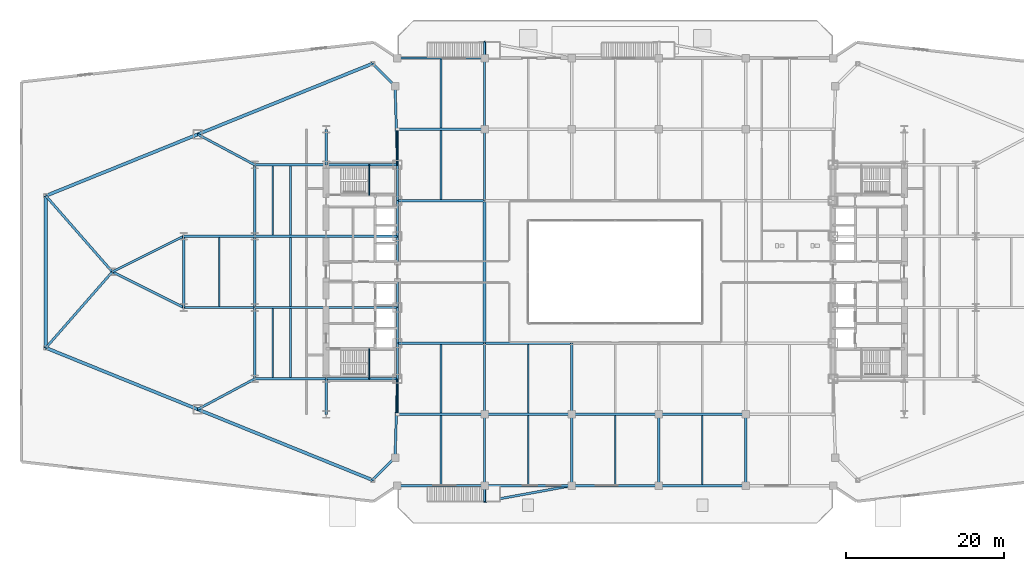
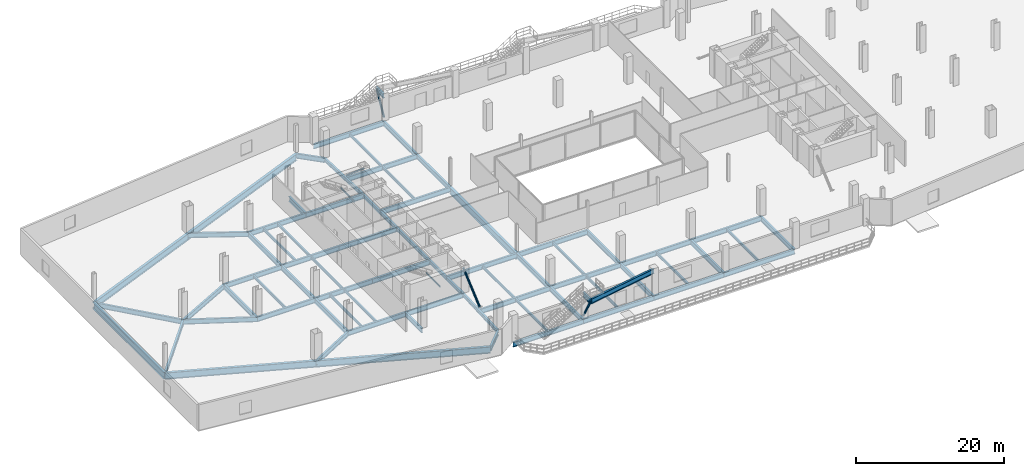
# One storey, part 9 of 25: 77 beams, 4 members.
"""IFC4 building model written with IfcOpenShell, lengths in metres."""

from ifc_helpers import new_model, si_unit, direction, frame, origin, origin_2d, place, context, subcontext, project, spatial, hollow_circle, i_section, extrude, source, transform, mapped, material, material_profile, profile_set, type_object, type_shapes, element, save


model = new_model("IFC4")

# Units and contexts
model_context = context("Model", 3, precision=1e-05, world=origin(), true_north=direction((0.0, 1.0)))
body_context = subcontext(model_context, "Body", "Model", "MODEL_VIEW")
ifc_project = project(units=[si_unit("LENGTHUNIT", "METRE"), si_unit("AREAUNIT", "SQUARE_METRE"), si_unit("VOLUMEUNIT", "CUBIC_METRE"), si_unit("PLANEANGLEUNIT", "RADIAN"), si_unit("MASSUNIT", "GRAM", prefix="KILO")], contexts=[model_context])

# Site, building, storey
site_placement = place(None, origin())
site = spatial("IfcSite", under=ifc_project, at=site_placement, CompositionType="ELEMENT")
building_placement = place(site_placement, origin())
building = spatial("IfcBuilding", under=site, at=building_placement, Name="Seokmaru Belvedere", CompositionType="ELEMENT")
storey_placement = place(building_placement, frame((0.0, 0.0, 5.39990234375)))
storey = spatial("IfcBuildingStorey", under=building, at=storey_placement, Name="L01", CompositionType="ELEMENT", Elevation=5.39990234375)

# Beams
ifc_material = material(Name="Steel SM355 (355 MPa)", Category="steel")
ifc_material_profile_1 = material_profile(ifc_material, i_section(OverallWidth=0.300048828125, OverallDepth=0.587890625, WebThickness=0.011962890625, FlangeThickness=0.02001953125, at=origin_2d()), Name="H-588x300x12x20")
ifc_profile_set_1 = profile_set([ifc_material_profile_1], Name="Steel SM355 (355 MPa)")
beam_type_1 = type_object("IfcBeamType", Name="Podium Edge Spandrel Beam H-588", PredefinedType="SPANDREL", material=ifc_profile_set_1)
shared_shape_1 = source(origin(), body_context, "Body", "SweptSolid", [
    extrude(i_section(OverallWidth=0.300048828125, OverallDepth=0.587890625, WebThickness=0.011962890625, FlangeThickness=0.02001953125, at=origin_2d()), origin(), (0.0, 0.0, 1.0), 4.5),
])
for number, where, z_axis, x_axis, name in (
    (1, (-27.5, -13.5, -0.573974609375), (0.0, 1.0, 0.0), (-1.0, 0.0, 0.0), "L01 W Portal Spine Spandrel 1"),
    (2, (-27.5, -9.0, -0.573974609375), (0.0, 1.0, 0.0), (-1.0, 0.0, 0.0), "L01 W Portal Spine Spandrel 2"),
    (3, (-27.5, 4.5, -0.573974609375), (0.0, 1.0, 0.0), (-1.0, 0.0, 0.0), "L01 W Portal Spine Spandrel 4"),
    (4, (-27.5, 9.0, -0.573974609375), (0.0, 1.0, 0.0), (-1.0, 0.0, 0.0), "L01 W Portal Spine Spandrel 5"),
):
    element("IfcBeam", number, at=place(storey_placement, frame(where, z_axis=z_axis, x_axis=x_axis)), inside=storey, type_object=beam_type_1, Name=name, PredefinedType="SPANDREL", context=body_context, shape_type="MappedRepresentation", body=[
        mapped(shared_shape_1, transform((0.0, 0.0, 0.0), scale=1.0)),
    ])
shared_shape_2 = source(origin(), body_context, "Body", "SweptSolid", [
    extrude(i_section(OverallWidth=0.300048828125, OverallDepth=0.587890625, WebThickness=0.011962890625, FlangeThickness=0.02001953125, at=origin_2d()), origin(), (0.0, 0.0, 1.0), 9.0),
])
beam_1_placement = place(storey_placement, frame((-27.5, -4.5, -0.573974609375), z_axis=(0.0, 1.0, 0.0), x_axis=(-1.0, 0.0, 0.0)))
element("IfcBeam", 5, at=beam_1_placement, inside=storey, type_object=beam_type_1, Name="L01 W Portal Spine Spandrel 3", PredefinedType="SPANDREL", context=body_context, shape_type="MappedRepresentation", body=[
    mapped(shared_shape_2, transform((0.0, 0.0, 0.0), scale=1.0)),
])
ifc_material_profile_2 = material_profile(ifc_material, i_section(OverallWidth=0.39990234375, OverallDepth=1.10009765625, WebThickness=0.02001953125, FlangeThickness=0.033935546875, at=origin_2d()), Name="BH-1100x400x20x34")
ifc_profile_set_2 = profile_set([ifc_material_profile_2], Name="Steel SM355 (355 MPa)")
beam_type_2 = type_object("IfcBeamType", Name="Sky-Gate Transverse Girder BH-1100", PredefinedType="BEAM", material=ifc_profile_set_2)
shared_shape_3 = source(origin(), body_context, "Body", "SweptSolid", [
    extrude(i_section(OverallWidth=0.39990234375, OverallDepth=1.10009765625, WebThickness=0.02001953125, FlangeThickness=0.033935546875, at=origin_2d()), origin(), (0.0, 0.0, 1.0), 23.811767578125),
])
for number, where, z_axis, x_axis, name in (
    (6, (-30.643310546875, -26.294677734375, -0.829833984375), (-0.92694579442, 0.375195274766, 0.0), (-0.375195274766, -0.92694579442, 0.0), "L01 W Podium Long-Span Flank Girder S-1"),
    (7, (-30.643310546875, 26.294677734375, -0.829833984375), (-0.92694579442, -0.375195274766, 0.0), (0.375195274766, -0.92694579442, 0.0), "L01 W Podium Long-Span Flank Girder N-1"),
):
    element("IfcBeam", number, at=place(storey_placement, frame(where, z_axis=z_axis, x_axis=x_axis)), inside=storey, type_object=beam_type_2, Name=name, PredefinedType="BEAM", context=body_context, shape_type="MappedRepresentation", body=[
        mapped(shared_shape_3, transform((0.0, 0.0, 0.0), scale=1.0)),
    ])
shared_shape_4 = source(origin(), body_context, "Body", "SweptSolid", [
    extrude(i_section(OverallWidth=0.39990234375, OverallDepth=1.10009765625, WebThickness=0.02001953125, FlangeThickness=0.033935546875, at=origin_2d()), origin(), (0.0, 0.0, 1.0), 20.6962890625),
])
for number, where, z_axis, x_axis, name in (
    (8, (-52.715576171875, -17.360595703125, -0.829833984375), (-0.92695003666, 0.37518479385, 0.0), (-0.37518479385, -0.92695003666, 0.0), "L01 W Podium Long-Span Flank Girder S-2"),
    (9, (-52.715576171875, 17.360595703125, -0.829833984375), (-0.92695003666, -0.37518479385, 0.0), (0.37518479385, -0.92695003666, 0.0), "L01 W Podium Long-Span Flank Girder N-2"),
):
    element("IfcBeam", number, at=place(storey_placement, frame(where, z_axis=z_axis, x_axis=x_axis)), inside=storey, type_object=beam_type_2, Name=name, PredefinedType="BEAM", context=body_context, shape_type="MappedRepresentation", body=[
        mapped(shared_shape_4, transform((0.0, 0.0, 0.0), scale=1.0)),
    ])
shared_shape_5 = source(origin(), body_context, "Body", "SweptSolid", [
    extrude(i_section(OverallWidth=0.39990234375, OverallDepth=1.10009765625, WebThickness=0.02001953125, FlangeThickness=0.033935546875, at=origin_2d()), origin(), (0.0, 0.0, 1.0), 19.19140625),
])
beam_2_placement = place(storey_placement, frame((-71.89990234375, -9.595703125, -0.829833984375), z_axis=(0.0, 1.0, 0.0), x_axis=(-1.0, 0.0, 0.0)))
element("IfcBeam", 10, at=beam_2_placement, inside=storey, type_object=beam_type_2, Name="L01 W Podium Long-Span Apex Girder", PredefinedType="BEAM", context=body_context, shape_type="MappedRepresentation", body=[
    mapped(shared_shape_5, transform((0.0, 0.0, 0.0), scale=1.0)),
])
shared_shape_6 = source(origin(), body_context, "Body", "SweptSolid", [
    extrude(i_section(OverallWidth=0.300048828125, OverallDepth=0.587890625, WebThickness=0.011962890625, FlangeThickness=0.02001953125, at=origin_2d()), origin(), (0.0, 0.0, 1.0), 9.9560546875),
])
type_shapes(beam_type_1, [shared_shape_1, shared_shape_2, shared_shape_6])
for number, where, z_axis, x_axis, name in (
    (11, (-27.800048828125, -23.451416015625, -0.573974609375), (0.030137674137, 0.999545757131, 0.0), (-0.999545757131, 0.030137674137, 0.0), "L01 W Podium Spine Shoulder Tie S"),
    (12, (-27.800048828125, 23.451416015625, -0.573974609375), (0.030137674137, -0.999545757131, 0.0), (0.999545757131, 0.030137674137, 0.0), "L01 W Podium Spine Shoulder Tie N"),
):
    element("IfcBeam", number, at=place(storey_placement, frame(where, z_axis=z_axis, x_axis=x_axis)), inside=storey, type_object=beam_type_1, Name=name, PredefinedType="SPANDREL", context=body_context, shape_type="MappedRepresentation", body=[
        mapped(shared_shape_6, transform((0.0, 0.0, 0.0), scale=1.0)),
    ])
ifc_material_profile_3 = material_profile(ifc_material, i_section(OverallWidth=0.300048828125, OverallDepth=0.800048828125, WebThickness=0.013916015625, FlangeThickness=0.02587890625, at=origin_2d()), Name="H-800x300x14x26")
ifc_profile_set_3 = profile_set([ifc_material_profile_3], Name="Steel SM355 (355 MPa)")
beam_type_3 = type_object("IfcBeamType", Name="Podium Primary Girder H-800", PredefinedType="BEAM", material=ifc_profile_set_3)
shared_shape_7 = source(origin(), body_context, "Body", "SweptSolid", [
    extrude(i_section(OverallWidth=0.300048828125, OverallDepth=0.800048828125, WebThickness=0.013916015625, FlangeThickness=0.02587890625, at=origin_2d()), origin(), (0.0, 0.0, 1.0), 4.5),
])
for number, where, z_axis, x_axis, name in (
    (13, (-36.5, -18.0, -0.679931640625), (0.0, 1.0, 0.0), (-1.0, 0.0, 0.0), "L01 W Core Shoulder Girder S"),
    (14, (-36.5, 13.5, -0.679931640625), (0.0, 1.0, 0.0), (-1.0, 0.0, 0.0), "L01 W Core Shoulder Girder N"),
):
    element("IfcBeam", number, at=place(storey_placement, frame(where, z_axis=z_axis, x_axis=x_axis)), inside=storey, type_object=beam_type_3, Name=name, PredefinedType="BEAM", context=body_context, shape_type="MappedRepresentation", body=[
        mapped(shared_shape_7, transform((0.0, 0.0, 0.0), scale=1.0)),
    ])
shared_shape_8 = source(origin(), body_context, "Body", "SweptSolid", [
    extrude(i_section(OverallWidth=0.300048828125, OverallDepth=0.800048828125, WebThickness=0.013916015625, FlangeThickness=0.02587890625, at=origin_2d()), origin(), (0.0, 0.0, 1.0), 9.0),
])
for number, where, z_axis, x_axis, name in (
    (15, (-45.5, -13.5, -0.679931640625), (0.0, 1.0, 0.0), (-1.0, 0.0, 0.0), "L01 W Interior Grid Girder 1"),
    (16, (-45.5, -4.5, -0.679931640625), (0.0, 1.0, 0.0), (-1.0, 0.0, 0.0), "L01 W Interior Grid Girder 2"),
    (17, (-45.5, 4.5, -0.679931640625), (0.0, 1.0, 0.0), (-1.0, 0.0, 0.0), "L01 W Interior Grid Girder 3"),
    (18, (-36.5, -13.5, -0.679931640625), (1.0, 0.0, 0.0), (0.0, 1.0, 0.0), "L01 W Core Tie Girder 1"),
    (19, (-45.5, -13.5, -0.679931640625), (1.0, 0.0, 0.0), (0.0, 1.0, 0.0), "L01 W Wing Primary Girder 1"),
    (20, (-36.5, -4.5, -0.679931640625), (1.0, 0.0, 0.0), (0.0, 1.0, 0.0), "L01 W Core Tie Girder 2"),
    (21, (-45.5, -4.5, -0.679931640625), (1.0, 0.0, 0.0), (0.0, 1.0, 0.0), "L01 W Wing Primary Girder 2"),
    (22, (-36.5, 4.5, -0.679931640625), (1.0, 0.0, 0.0), (0.0, 1.0, 0.0), "L01 W Core Tie Girder 3"),
    (23, (-45.5, 4.5, -0.679931640625), (1.0, 0.0, 0.0), (0.0, 1.0, 0.0), "L01 W Wing Primary Girder 3"),
    (24, (-36.5, 13.5, -0.679931640625), (1.0, 0.0, 0.0), (0.0, 1.0, 0.0), "L01 W Core Tie Girder 4"),
    (25, (-45.5, 13.5, -0.679931640625), (1.0, 0.0, 0.0), (0.0, 1.0, 0.0), "L01 W Wing Primary Girder 4"),
    (26, (-54.5, -4.5, -0.679931640625), (1.0, 0.0, 0.0), (0.0, 1.0, 0.0), "L01 W Outer Wing Girder 1"),
    (27, (-54.5, 4.5, -0.679931640625), (1.0, 0.0, 0.0), (0.0, 1.0, 0.0), "L01 W Outer Wing Girder 2"),
    (28, (-54.5, -4.5, -0.679931640625), (0.0, 1.0, 0.0), (-1.0, 0.0, 0.0), "L01 W Apex Frame Girder"),
    (29, (-16.5, -27.0, -0.679931640625), (0.0, 1.0, 0.0), (-1.0, 0.0, 0.0), "L01 Central Podium Transverse Girder 1-1"),
    (30, (-16.5, -18.0, -0.679931640625), (0.0, 1.0, 0.0), (-1.0, 0.0, 0.0), "L01 Central Podium Transverse Girder 1-2"),
    (31, (-16.5, 9.0, -0.679931640625), (0.0, 1.0, 0.0), (-1.0, 0.0, 0.0), "L01 Central Podium Transverse Girder 1-4"),
    (32, (-16.5, 18.0, -0.679931640625), (0.0, 1.0, 0.0), (-1.0, 0.0, 0.0), "L01 Central Podium Transverse Girder 1-5"),
    (33, (-5.5, -27.0, -0.679931640625), (0.0, 1.0, 0.0), (-1.0, 0.0, 0.0), "L01 Central Podium Transverse Girder 2-1"),
    (34, (-5.5, -18.0, -0.679931640625), (0.0, 1.0, 0.0), (-1.0, 0.0, 0.0), "L01 Central Podium Transverse Girder 2-2"),
    (35, (5.5, -27.0, -0.679931640625), (0.0, 1.0, 0.0), (-1.0, 0.0, 0.0), "L01 Central Podium Transverse Girder 3-1"),
    (36, (16.5, -27.0, -0.679931640625), (0.0, 1.0, 0.0), (-1.0, 0.0, 0.0), "L01 Central Podium Transverse Girder 4-1"),
):
    element("IfcBeam", number, at=place(storey_placement, frame(where, z_axis=z_axis, x_axis=x_axis)), inside=storey, type_object=beam_type_3, Name=name, PredefinedType="BEAM", context=body_context, shape_type="MappedRepresentation", body=[
        mapped(shared_shape_8, transform((0.0, 0.0, 0.0), scale=1.0)),
    ])
shared_shape_9 = source(origin(), body_context, "Body", "SweptSolid", [
    extrude(i_section(OverallWidth=0.300048828125, OverallDepth=0.800048828125, WebThickness=0.013916015625, FlangeThickness=0.02587890625, at=origin_2d()), origin(), (0.0, 0.0, 1.0), 10.062255859375),
])
for number, where, z_axis, x_axis, name in (
    (37, (-54.5, -4.5, -0.679931640625), (-0.894427191, 0.4472135955, 0.0), (-0.4472135955, -0.894427191, 0.0), "L01 W Apex Converging Girder 1"),
    (38, (-54.5, 4.5, -0.679931640625), (-0.894427191, -0.4472135955, 0.0), (0.4472135955, -0.894427191, 0.0), "L01 W Apex Converging Girder 2"),
):
    element("IfcBeam", number, at=place(storey_placement, frame(where, z_axis=z_axis, x_axis=x_axis)), inside=storey, type_object=beam_type_3, Name=name, PredefinedType="BEAM", context=body_context, shape_type="MappedRepresentation", body=[
        mapped(shared_shape_9, transform((0.0, 0.0, 0.0), scale=1.0)),
    ])
ifc_material_profile_4 = material_profile(ifc_material, i_section(OverallWidth=0.199951171875, OverallDepth=0.449951171875, WebThickness=0.009033203125, FlangeThickness=0.013916015625, at=origin_2d()), Name="H-450x200x9x14")
ifc_profile_set_4 = profile_set([ifc_material_profile_4], Name="Steel SM355 (355 MPa)")
beam_type_4 = type_object("IfcBeamType", Name="Podium Secondary Joist H-450", PredefinedType="JOIST", material=ifc_profile_set_4)
shared_shape_10 = source(origin(), body_context, "Body", "SweptSolid", [
    extrude(i_section(OverallWidth=0.199951171875, OverallDepth=0.449951171875, WebThickness=0.009033203125, FlangeThickness=0.013916015625, at=origin_2d()), origin(), (0.0, 0.0, 1.0), 8.68994140625),
])
type_shapes(beam_type_4, [shared_shape_10])
for number, where, z_axis, x_axis, name in (
    (39, (-43.25, -13.344970703125, -0.5048828125), (0.0, 1.0, 0.0), (-1.0, 0.0, 0.0), "L01 W Wing Inner Secondary Joist 1"),
    (40, (-43.25, 4.655029296875, -0.5048828125), (0.0, 1.0, 0.0), (-1.0, 0.0, 0.0), "L01 W Wing Inner Secondary Joist 2"),
    (41, (-41.0, -13.344970703125, -0.5048828125), (0.0, 1.0, 0.0), (-1.0, 0.0, 0.0), "L01 W Secondary Floor Joist 1"),
    (42, (-41.0, -4.344970703125, -0.5048828125), (0.0, 1.0, 0.0), (-1.0, 0.0, 0.0), "L01 W Secondary Floor Joist 2"),
    (43, (-41.0, 4.655029296875, -0.5048828125), (0.0, 1.0, 0.0), (-1.0, 0.0, 0.0), "L01 W Secondary Floor Joist 3"),
    (44, (-50.0, -4.344970703125, -0.5048828125), (0.0, 1.0, 0.0), (-1.0, 0.0, 0.0), "L01 W Outer Bay Secondary Joist"),
    (45, (-22.0, -26.844970703125, -0.5048828125), (0.0, 1.0, 0.0), (-1.0, 0.0, 0.0), "L01 Central Podium Secondary Joist 1-1"),
    (46, (-22.0, -17.844970703125, -0.5048828125), (0.0, 1.0, 0.0), (-1.0, 0.0, 0.0), "L01 Central Podium Secondary Joist 1-2"),
    (47, (-22.0, 9.155029296875, -0.5048828125), (0.0, 1.0, 0.0), (-1.0, 0.0, 0.0), "L01 Central Podium Secondary Joist 1-3"),
    (48, (-22.0, 18.155029296875, -0.5048828125), (0.0, 1.0, 0.0), (-1.0, 0.0, 0.0), "L01 Central Podium Secondary Joist 1-4"),
    (49, (-11.0, -26.844970703125, -0.5048828125), (0.0, 1.0, 0.0), (-1.0, 0.0, 0.0), "L01 Central Podium Secondary Joist 2-1"),
    (50, (-11.0, -17.844970703125, -0.5048828125), (0.0, 1.0, 0.0), (-1.0, 0.0, 0.0), "L01 Central Podium Secondary Joist 2-2"),
    (51, (0.0, -26.844970703125, -0.5048828125), (0.0, 1.0, 0.0), (-1.0, 0.0, 0.0), "L01 Central Podium Secondary Joist 3-1"),
    (52, (11.0, -26.844970703125, -0.5048828125), (0.0, 1.0, 0.0), (-1.0, 0.0, 0.0), "L01 Central Podium Secondary Joist 4-1"),
):
    element("IfcBeam", number, at=place(storey_placement, frame(where, z_axis=z_axis, x_axis=x_axis)), inside=storey, type_object=beam_type_4, Name=name, PredefinedType="JOIST", context=body_context, shape_type="MappedRepresentation", body=[
        mapped(shared_shape_10, transform((0.0, 0.0, 0.0), scale=1.0)),
    ])
shared_shape_11 = source(origin(), body_context, "Body", "SweptSolid", [
    extrude(i_section(OverallWidth=0.300048828125, OverallDepth=0.800048828125, WebThickness=0.013916015625, FlangeThickness=0.02587890625, at=origin_2d()), origin(), (0.0, 0.0, 1.0), 4.02099609375),
])
for number, where, z_axis, x_axis, name in (
    (53, (-30.643310546875, -26.294677734375, -0.679931640625), (0.707106781187, 0.707106781187, 0.0), (-0.707106781187, 0.707106781187, 0.0), "L01 W Podium South Shoulder Girder"),
    (54, (-30.643310546875, 26.294677734375, -0.679931640625), (0.707106781187, -0.707106781187, 0.0), (0.707106781187, 0.707106781187, 0.0), "L01 W Podium North Shoulder Girder"),
):
    element("IfcBeam", number, at=place(storey_placement, frame(where, z_axis=z_axis, x_axis=x_axis)), inside=storey, type_object=beam_type_3, Name=name, PredefinedType="BEAM", context=body_context, shape_type="MappedRepresentation", body=[
        mapped(shared_shape_11, transform((0.0, 0.0, 0.0), scale=1.0)),
    ])
shared_shape_12 = source(origin(), body_context, "Body", "SweptSolid", [
    extrude(i_section(OverallWidth=0.300048828125, OverallDepth=0.800048828125, WebThickness=0.013916015625, FlangeThickness=0.02587890625, at=origin_2d()), origin(), (0.0, 0.0, 1.0), 8.183349609375),
])
for number, where, z_axis, x_axis, name in (
    (55, (-52.715576171875, -17.360595703125, -0.679931640625), (0.881728657166, 0.47175690258, 0.0), (-0.47175690258, 0.881728657166, 0.0), "L01 W Flank Radial Floor Girder S-2"),
    (56, (-52.715576171875, 17.360595703125, -0.679931640625), (0.881728657166, -0.47175690258, 0.0), (0.47175690258, 0.881728657166, 0.0), "L01 W Flank Radial Floor Girder N-2"),
):
    element("IfcBeam", number, at=place(storey_placement, frame(where, z_axis=z_axis, x_axis=x_axis)), inside=storey, type_object=beam_type_3, Name=name, PredefinedType="BEAM", context=body_context, shape_type="MappedRepresentation", body=[
        mapped(shared_shape_12, transform((0.0, 0.0, 0.0), scale=1.0)),
    ])
shared_shape_13 = source(origin(), body_context, "Body", "SweptSolid", [
    extrude(i_section(OverallWidth=0.300048828125, OverallDepth=0.800048828125, WebThickness=0.013916015625, FlangeThickness=0.02587890625, at=origin_2d()), origin(), (0.0, 0.0, 1.0), 12.7529296875),
])
for number, where, z_axis, x_axis, name in (
    (57, (-71.89990234375, -9.595703125, -0.679931640625), (0.658667231479, 0.752434368019, 0.0), (-0.752434368019, 0.658667231479, 0.0), "L01 W Apex Radial Floor Girder 1"),
    (58, (-71.89990234375, 9.595703125, -0.679931640625), (0.658667231479, -0.752434368019, 0.0), (0.752434368019, 0.658667231479, 0.0), "L01 W Apex Radial Floor Girder 2"),
):
    element("IfcBeam", number, at=place(storey_placement, frame(where, z_axis=z_axis, x_axis=x_axis)), inside=storey, type_object=beam_type_3, Name=name, PredefinedType="BEAM", context=body_context, shape_type="MappedRepresentation", body=[
        mapped(shared_shape_13, transform((0.0, 0.0, 0.0), scale=1.0)),
    ])
shared_shape_14 = source(origin(), body_context, "Body", "SweptSolid", [
    extrude(i_section(OverallWidth=0.300048828125, OverallDepth=0.800048828125, WebThickness=0.013916015625, FlangeThickness=0.02587890625, at=origin_2d()), origin(), (0.0, 0.0, 1.0), 11.0),
])
for number, where, z_axis, x_axis, name in (
    (59, (-27.5, -27.0, -0.679931640625), (1.0, 0.0, 0.0), (0.0, 1.0, 0.0), "L01 Central Podium Girder 1-1"),
    (60, (-16.5, -27.0, -0.679931640625), (1.0, 0.0, 0.0), (0.0, 1.0, 0.0), "L01 Central Podium Girder 1-2"),
    (61, (-5.5, -27.0, -0.679931640625), (1.0, 0.0, 0.0), (0.0, 1.0, 0.0), "L01 Central Podium Girder 1-3"),
    (62, (5.5, -27.0, -0.679931640625), (1.0, 0.0, 0.0), (0.0, 1.0, 0.0), "L01 Central Podium Girder 1-4"),
    (63, (-27.5, -18.0, -0.679931640625), (1.0, 0.0, 0.0), (0.0, 1.0, 0.0), "L01 Central Podium Girder 2-1"),
    (64, (-16.5, -18.0, -0.679931640625), (1.0, 0.0, 0.0), (0.0, 1.0, 0.0), "L01 Central Podium Girder 2-2"),
    (65, (-5.5, -18.0, -0.679931640625), (1.0, 0.0, 0.0), (0.0, 1.0, 0.0), "L01 Central Podium Girder 2-3"),
    (66, (5.5, -18.0, -0.679931640625), (1.0, 0.0, 0.0), (0.0, 1.0, 0.0), "L01 Central Podium Girder 2-4"),
    (67, (-27.5, -9.0, -0.679931640625), (1.0, 0.0, 0.0), (0.0, 1.0, 0.0), "L01 Central Podium Girder 3-1"),
    (68, (-16.5, -9.0, -0.679931640625), (1.0, 0.0, 0.0), (0.0, 1.0, 0.0), "L01 Central Podium Girder 3-2"),
    (69, (-27.5, 9.0, -0.679931640625), (1.0, 0.0, 0.0), (0.0, 1.0, 0.0), "L01 Central Podium Girder 4-1"),
    (70, (-27.5, 18.0, -0.679931640625), (1.0, 0.0, 0.0), (0.0, 1.0, 0.0), "L01 Central Podium Girder 5-1"),
    (71, (-27.5, 27.0, -0.679931640625), (1.0, 0.0, 0.0), (0.0, 1.0, 0.0), "L01 Central Podium Girder 6-1"),
):
    element("IfcBeam", number, at=place(storey_placement, frame(where, z_axis=z_axis, x_axis=x_axis)), inside=storey, type_object=beam_type_3, Name=name, PredefinedType="BEAM", context=body_context, shape_type="MappedRepresentation", body=[
        mapped(shared_shape_14, transform((0.0, 0.0, 0.0), scale=1.0)),
    ])
shared_shape_15 = source(origin(), body_context, "Body", "SweptSolid", [
    extrude(i_section(OverallWidth=0.39990234375, OverallDepth=1.10009765625, WebThickness=0.02001953125, FlangeThickness=0.033935546875, at=origin_2d()), origin(), (0.0, 0.0, 1.0), 18.0),
])
type_shapes(beam_type_2, [shared_shape_3, shared_shape_4, shared_shape_5, shared_shape_15])
beam_3_placement = place(storey_placement, frame((-16.5, -9.0, -0.829833984375), z_axis=(0.0, 1.0, 0.0), x_axis=(-1.0, 0.0, 0.0)))
element("IfcBeam", 72, at=beam_3_placement, inside=storey, type_object=beam_type_2, Name="L01 Central Podium Transverse Girder 1-3", PredefinedType="BEAM", context=body_context, shape_type="MappedRepresentation", body=[
    mapped(shared_shape_15, transform((0.0, 0.0, 0.0), scale=1.0)),
])

# Members
ifc_material_profile_5 = material_profile(ifc_material, hollow_circle(Radius=0.1591796875, WallThickness=0.01025390625, at=origin_2d()), Name="CHS-318.5x10.3")
ifc_profile_set_5 = profile_set([ifc_material_profile_5], Name="Steel SM355 (355 MPa)")
member_type_1 = type_object("IfcMemberType", Name="Podium Portal Wind Brace CHS-318", PredefinedType="BRACE", material=ifc_profile_set_5)
shared_shape_16 = source(origin(), body_context, "Body", "SweptSolid", [
    extrude(hollow_circle(Radius=0.1591796875, WallThickness=0.01025390625, at=origin_2d()), origin(), (0.0, 0.0, 1.0), 5.90283203125),
])
member_1_placement = place(storey_placement, frame((-27.5, -18.0, 0.0), z_axis=(0.0, 0.76235144486, 0.64716325183), x_axis=(-1.0, 0.0, 0.0)))
element("IfcMember", 73, at=member_1_placement, inside=storey, type_object=member_type_1, Name="L01 Podium Portal Wind Brace WS", PredefinedType="BRACE", context=body_context, shape_type="MappedRepresentation", body=[
    mapped(shared_shape_16, transform((0.0, 0.0, 0.0), scale=1.0)),
])
ifc_material_profile_6 = material_profile(ifc_material, hollow_circle(Radius=0.1337890625, WallThickness=0.00927734375, at=origin_2d()), Name="CHS-267.4x9.3")
ifc_profile_set_6 = profile_set([ifc_material_profile_6], Name="Steel SM355 (355 MPa)")
member_type_2 = type_object("IfcMemberType", Name="Canopy Tie Strut CHS-267", PredefinedType="BRACE", material=ifc_profile_set_6)
shared_shape_17 = source(origin(), body_context, "Body", "SweptSolid", [
    extrude(hollow_circle(Radius=0.1337890625, WallThickness=0.00927734375, at=origin_2d()), origin(), (0.0, 0.0, 1.0), 5.90283203125),
])
type_shapes(member_type_2, [shared_shape_17])
member_2_placement = place(storey_placement, frame((-27.5, 18.0, 0.0), z_axis=(0.0, -0.76235144486, 0.64716325183), x_axis=(1.0, 0.0, 0.0)))
element("IfcMember", 74, at=member_2_placement, inside=storey, type_object=member_type_2, Name="L01 Podium Portal Tie Strut WN", PredefinedType="BRACE", context=body_context, shape_type="MappedRepresentation", body=[
    mapped(shared_shape_17, transform((0.0, 0.0, 0.0), scale=1.0)),
])

# Beams
ifc_material_profile_7 = material_profile(ifc_material, i_section(OverallWidth=0.125, OverallDepth=0.25, WebThickness=0.006103515625, FlangeThickness=0.009033203125, at=origin_2d()), Name="H-250x125x6x9")
ifc_profile_set_7 = profile_set([ifc_material_profile_7], Name="Steel SM355 (355 MPa)")
beam_type_5 = type_object("IfcBeamType", Name="Stair Mid-Landing Support Beam H-250", PredefinedType="JOIST", material=ifc_profile_set_7)
shared_shape_18 = source(origin(), body_context, "Body", "SweptSolid", [
    extrude(i_section(OverallWidth=0.125, OverallDepth=0.25, WebThickness=0.006103515625, FlangeThickness=0.009033203125, at=origin_2d()), origin(), (0.0, 0.0, 1.0), 3.800048828125),
])
type_shapes(beam_type_5, [shared_shape_18])
for number, where, z_axis, x_axis, name in (
    (75, (-31.090087890625, -13.5, 1.925048828125), (0.0, 1.0, 0.0), (-1.0, 0.0, 0.0), "L01 Stair ST-W1 Mid-Landing Support Beam 1"),
    (76, (-31.090087890625, 9.699951171875, 1.925048828125), (0.0, 1.0, 0.0), (-1.0, 0.0, 0.0), "L01 Stair ST-W2 Mid-Landing Support Beam 1"),
):
    element("IfcBeam", number, at=place(storey_placement, frame(where, z_axis=z_axis, x_axis=x_axis)), inside=storey, type_object=beam_type_5, Name=name, PredefinedType="JOIST", context=body_context, shape_type="MappedRepresentation", body=[
        mapped(shared_shape_18, transform((0.0, 0.0, 0.0), scale=1.0)),
    ])
shared_shape_19 = source(origin(), body_context, "Body", "SweptSolid", [
    extrude(i_section(OverallWidth=0.300048828125, OverallDepth=0.800048828125, WebThickness=0.013916015625, FlangeThickness=0.02587890625, at=origin_2d()), origin(), (0.0, 0.0, 1.0), 2.0),
])
for number, where, z_axis, x_axis, name in (
    (77, (-16.5, 27.0, 3.820068359375), (0.0, 1.0, 0.0), (-1.0, 0.0, 0.0), "L01 Terrace Stair Bracket Girder N1"),
    (78, (-16.5, -27.0, 3.820068359375), (0.0, -1.0, 0.0), (1.0, 0.0, 0.0), "L01 Terrace Stair Bracket Girder S1"),
):
    element("IfcBeam", number, at=place(storey_placement, frame(where, z_axis=z_axis, x_axis=x_axis)), inside=storey, type_object=beam_type_3, Name=name, PredefinedType="BEAM", context=body_context, shape_type="MappedRepresentation", body=[
        mapped(shared_shape_19, transform((0.0, 0.0, 0.0), scale=1.0)),
    ])
shared_shape_20 = source(origin(), body_context, "Body", "SweptSolid", [
    extrude(i_section(OverallWidth=0.300048828125, OverallDepth=0.800048828125, WebThickness=0.013916015625, FlangeThickness=0.02587890625, at=origin_2d()), origin(), (0.0, 0.0, 1.0), 11.180419921875),
])
type_shapes(beam_type_3, [shared_shape_7, shared_shape_8, shared_shape_9, shared_shape_11, shared_shape_12, shared_shape_13, shared_shape_14, shared_shape_19, shared_shape_20])
beam_4_placement = place(storey_placement, frame((-16.5, -29.0, 3.820068359375), z_axis=(0.9838699101, 0.1788854382, 0.0), x_axis=(-0.1788854382, 0.9838699101, 0.0)))
element("IfcBeam", 79, at=beam_4_placement, inside=storey, type_object=beam_type_3, Name="L01 Terrace Stair Diagonal Support Girder S1", PredefinedType="BEAM", context=body_context, shape_type="MappedRepresentation", body=[
    mapped(shared_shape_20, transform((0.0, 0.0, 0.0), scale=1.0)),
])

# Members
shared_shape_21 = source(origin(), body_context, "Body", "SweptSolid", [
    extrude(hollow_circle(Radius=0.1591796875, WallThickness=0.01025390625, at=origin_2d()), origin(), (0.0, 0.0, 1.0), 4.092041015625),
])
type_shapes(member_type_1, [shared_shape_16, shared_shape_21])
for number, where, z_axis, x_axis, name in (
    (80, (-16.5, 27.0, 0.25), (0.0, 0.488745067071, 0.872426649876), (-1.0, 0.0, 0.0), "L01 Terrace Stair Knee Brace N1"),
    (81, (-16.5, -27.0, 0.25), (0.0, -0.488745067071, 0.872426649876), (1.0, 0.0, 0.0), "L01 Terrace Stair Knee Brace S1"),
):
    element("IfcMember", number, at=place(storey_placement, frame(where, z_axis=z_axis, x_axis=x_axis)), inside=storey, type_object=member_type_1, Name=name, PredefinedType="BRACE", context=body_context, shape_type="MappedRepresentation", body=[
        mapped(shared_shape_21, transform((0.0, 0.0, 0.0), scale=1.0)),
    ])

save(model, "model.ifc")
